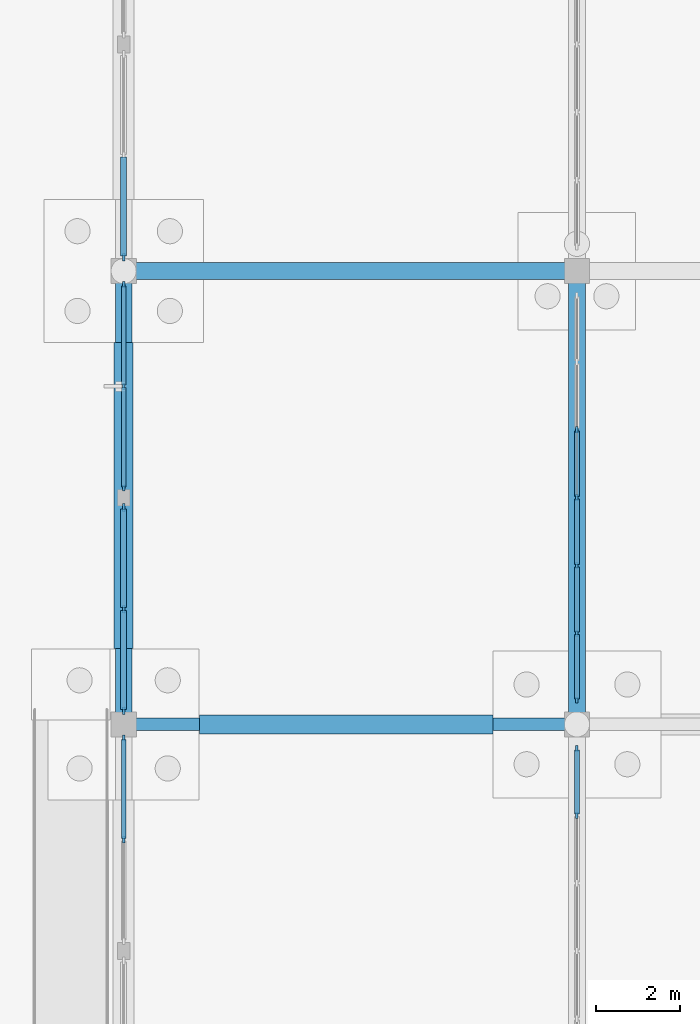
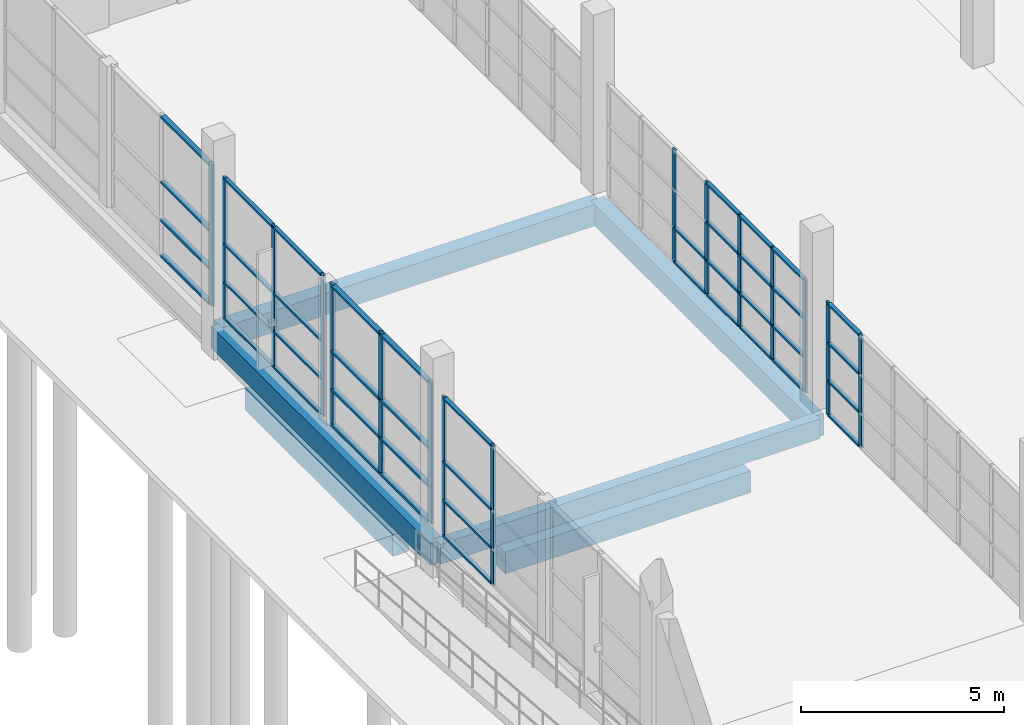
# One storey, part 39 of 138: 58 members, 6 beams, 6 elements without a shape of their own.
"""IFC4 building model written with IfcOpenShell, lengths in metres."""

from ifc_helpers import new_model, si_unit, direction, frame, origin, origin_2d, place, context, subcontext, project, spatial, rectangle, extrude, material, material_profile, profile_set, type_object, element, aggregate, save


model = new_model("IFC4")

# Units and contexts
model_context = context("Model", 3, precision=1e-05, world=origin(), true_north=direction((0.0, 1.0)))
body_context = subcontext(model_context, "Body", "Model", "MODEL_VIEW")
ifc_project = project(units=[si_unit("LENGTHUNIT", "METRE"), si_unit("AREAUNIT", "SQUARE_METRE"), si_unit("VOLUMEUNIT", "CUBIC_METRE"), si_unit("PLANEANGLEUNIT", "RADIAN"), si_unit("MASSUNIT", "GRAM", prefix="KILO")], contexts=[model_context])

# Site, building, storey
site_placement = place(None, origin())
site = spatial("IfcSite", under=ifc_project, at=site_placement, CompositionType="ELEMENT")
building_placement = place(site_placement, origin())
building = spatial("IfcBuilding", under=site, at=building_placement, Name="Zwinboog Wholesale Market", CompositionType="ELEMENT")
storey_placement = place(building_placement, origin())
storey = spatial("IfcBuildingStorey", under=building, at=storey_placement, Name="L00", CompositionType="ELEMENT", Elevation=0.0)

# Beams
ifc_material_1 = material(Name="Precast concrete C45/55", Category="concrete")
ifc_material_profile_1 = material_profile(ifc_material_1, rectangle(XDim=0.39990234375, YDim=0.64990234375, at=origin_2d()), Name="PC 400x650")
ifc_profile_set_1 = profile_set([ifc_material_profile_1], Name="Precast concrete C45/55")
beam_type_1 = type_object("IfcBeamType", Name="BT-05", PredefinedType="BEAM", material=ifc_profile_set_1)
for number, where, z_axis, x_axis, name in (
    (1, (0.0, 75.60009765625, -0.705078125), (1.0, 0.0, 0.0), (0.0, 1.0, 0.0), "BG-05 (BMG-L00-0000-0756-0099)"),
    (2, (0.0, 64.800048828125, -0.705078125), (0.0, 1.0, 0.0), (-1.0, 0.0, 0.0), "BG-05 (BMG-L00-0000-0648-0217)"),
    (3, (10.800048828125, 64.800048828125, -0.705078125), (0.0, 1.0, 0.0), (-1.0, 0.0, 0.0), "BG-05 (BMG-L00-0108-0648-0229)"),
):
    element("IfcBeam", number, at=place(storey_placement, frame(where, z_axis=z_axis, x_axis=x_axis)), inside=storey, type_object=beam_type_1, Name=name, PredefinedType="BEAM", context=body_context, shape_type="SweptSolid", body=[
        extrude(rectangle(XDim=0.39990234375, YDim=0.64990234375, at=origin_2d()), origin(), (0.0, 0.0, 1.0), 10.800048828125),
    ])
ifc_material_profile_2 = material_profile(ifc_material_1, rectangle(XDim=0.300048828125, YDim=0.60009765625, at=origin_2d()), Name="PC 300x600")
ifc_profile_set_2 = profile_set([ifc_material_profile_2], Name="Precast concrete C45/55")
beam_type_2 = type_object("IfcBeamType", Name="BT-09", PredefinedType="SPANDREL", material=ifc_profile_set_2)
beam_1_placement = place(storey_placement, frame((0.0, 64.800048828125, -0.679931640625), z_axis=(1.0, 0.0, 0.0), x_axis=(0.0, 1.0, 0.0)))
element("IfcBeam", 4, at=beam_1_placement, inside=storey, type_object=beam_type_2, Name="SP-02 (BMG-L00-0000-0648-0083)", PredefinedType="SPANDREL", context=body_context, shape_type="SweptSolid", body=[
    extrude(rectangle(XDim=0.300048828125, YDim=0.60009765625, at=origin_2d()), origin(), (0.0, 0.0, 1.0), 10.800048828125),
])
ifc_material_2 = material(Name="Concrete C35/45", Category="concrete")
ifc_material_profile_3 = material_profile(ifc_material_2, rectangle(XDim=0.449951171875, YDim=0.64990234375, at=origin_2d()), Name="RC 450x650")
ifc_profile_set_3 = profile_set([ifc_material_profile_3], Name="Concrete C35/45")
beam_type_3 = type_object("IfcBeamType", Name="BT-13", PredefinedType="USERDEFINED", material=ifc_profile_set_3)
beam_2_placement = place(storey_placement, frame((1.804931640625, 64.800048828125, -1.52490234375), z_axis=(1.0, 0.0, 0.0), x_axis=(0.0, 1.0, 0.0)))
element("IfcBeam", 5, at=beam_2_placement, inside=storey, type_object=beam_type_3, Name="GB-02 (BM-GB-0050)", ObjectType="GROUND_BEAM", PredefinedType="USERDEFINED", context=body_context, shape_type="SweptSolid", body=[
    extrude(rectangle(XDim=0.449951171875, YDim=0.64990234375, at=origin_2d()), origin(), (0.0, 0.0, 1.0), 6.989990234375),
])
beam_3_placement = place(storey_placement, frame((0.0, 66.60498046875, -1.52490234375), z_axis=(0.0, 1.0, 0.0), x_axis=(-1.0, 0.0, 0.0)))
element("IfcBeam", 6, at=beam_3_placement, inside=storey, type_object=beam_type_3, Name="GB-02 (BM-GB-0133)", ObjectType="GROUND_BEAM", PredefinedType="USERDEFINED", context=body_context, shape_type="SweptSolid", body=[
    extrude(rectangle(XDim=0.449951171875, YDim=0.64990234375, at=origin_2d()), origin(), (0.0, 0.0, 1.0), 7.2900390625),
])

# Curtain wall, members
ifc_material_3 = material(Name="Aluminium thermally broken curtain wall", Category="aluminium")
curtain_wall_type_1 = type_object("IfcCurtainWallType", Name="CWT-CAFE-22", PredefinedType="USERDEFINED", material=ifc_material_3)
curtain_wall_1_placement = place(storey_placement, origin())
curtain_wall_1 = element("IfcCurtainWall", 7, at=curtain_wall_1_placement, inside=storey, type_object=curtain_wall_type_1, Name="CW-05 (CW-L00-011)", ObjectType="STOREFRONT_GLAZING", PredefinedType="USERDEFINED")
ifc_material_4 = material(Name="Aluminium EN AW-6060", Category="aluminium")
ifc_material_profile_4 = material_profile(ifc_material_4, rectangle(XDim=0.06494140625, YDim=0.179931640625, at=origin_2d()), Name="AL 65x180")
ifc_profile_set_4 = profile_set([ifc_material_profile_4], Name="Aluminium EN AW-6060")
member_type_1 = type_object("IfcMemberType", Name="CWM-65x180", PredefinedType="MULLION", material=ifc_profile_set_4)
member_1_placement = place(storey_placement, frame((0.0, 65.12744140625, 0.0), z_axis=(0.0, 0.0, 1.0), x_axis=(-1.0, 0.0, 0.0)))
member_1 = element("IfcMember", 8, at=member_1_placement, type_object=member_type_1, Name="CW-05 mullion 1", PredefinedType="MULLION", context=body_context, shape_type="SweptSolid", body=[
    extrude(rectangle(XDim=0.06494140625, YDim=0.179931640625, at=origin_2d()), origin(), (0.0, 0.0, 1.0), 4.25),
])
member_2_placement = place(storey_placement, frame((0.0, 67.547607421875, 0.0), z_axis=(0.0, 0.0, 1.0), x_axis=(-1.0, 0.0, 0.0)))
member_2 = element("IfcMember", 9, at=member_2_placement, type_object=member_type_1, Name="CW-05 mullion 2", PredefinedType="MULLION", context=body_context, shape_type="SweptSolid", body=[
    extrude(rectangle(XDim=0.06494140625, YDim=0.179931640625, at=origin_2d()), origin(), (0.0, 0.0, 1.0), 4.25),
])
member_3_placement = place(storey_placement, frame((0.0, 69.967529296875, 0.0), z_axis=(0.0, 0.0, 1.0), x_axis=(-1.0, 0.0, 0.0)))
member_3 = element("IfcMember", 10, at=member_3_placement, type_object=member_type_1, Name="CW-05 mullion 3", PredefinedType="MULLION", context=body_context, shape_type="SweptSolid", body=[
    extrude(rectangle(XDim=0.06494140625, YDim=0.179931640625, at=origin_2d()), origin(), (0.0, 0.0, 1.0), 4.25),
])

# Curtain wall, member
curtain_wall_type_2 = type_object("IfcCurtainWallType", Name="CWT-STALL-18", PredefinedType="USERDEFINED", material=ifc_material_3)
curtain_wall_2_placement = place(storey_placement, origin())
curtain_wall_2 = element("IfcCurtainWall", 11, at=curtain_wall_2_placement, inside=storey, type_object=curtain_wall_type_2, Name="CW-01 (CW-L00-013)", ObjectType="STOREFRONT_GLAZING", PredefinedType="USERDEFINED")
member_4_placement = place(storey_placement, frame((0.0, 75.927490234375, 0.0), z_axis=(0.0, 0.0, 1.0), x_axis=(-1.0, 0.0, 0.0)))
member_4 = element("IfcMember", 12, at=member_4_placement, type_object=member_type_1, Name="CW-01 mullion 1", PredefinedType="MULLION", context=body_context, shape_type="SweptSolid", body=[
    extrude(rectangle(XDim=0.06494140625, YDim=0.179931640625, at=origin_2d()), origin(), (0.0, 0.0, 1.0), 4.25),
])

# Curtain wall, members
curtain_wall_type_3 = type_object("IfcCurtainWallType", Name="CWT-GAL-16", PredefinedType="USERDEFINED", material=ifc_material_3)
curtain_wall_3_placement = place(storey_placement, origin())
curtain_wall_3 = element("IfcCurtainWall", 13, at=curtain_wall_3_placement, inside=storey, type_object=curtain_wall_type_3, Name="CW-04 (CW-L00-010)", ObjectType="UNITIZED_CURTAIN_WALL", PredefinedType="USERDEFINED")
ifc_material_profile_5 = material_profile(ifc_material_4, rectangle(XDim=0.06005859375, YDim=0.14990234375, at=origin_2d()), Name="AL 60x150")
ifc_profile_set_5 = profile_set([ifc_material_profile_5], Name="Aluminium EN AW-6060")
member_type_2 = type_object("IfcMemberType", Name="CWM-60x150", PredefinedType="MULLION", material=ifc_profile_set_5)
member_5_placement = place(storey_placement, frame((0.0, 62.052490234375, 0.0), z_axis=(0.0, 0.0, 1.0), x_axis=(-1.0, 0.0, 0.0)))
member_5 = element("IfcMember", 14, at=member_5_placement, type_object=member_type_2, Name="CW-04 mullion 2", PredefinedType="MULLION", context=body_context, shape_type="SweptSolid", body=[
    extrude(rectangle(XDim=0.06005859375, YDim=0.14990234375, at=origin_2d()), origin(), (0.0, 0.0, 1.0), 4.197998046875),
])
member_6_placement = place(storey_placement, frame((0.0, 64.47509765625, 0.0), z_axis=(0.0, 0.0, 1.0), x_axis=(-1.0, 0.0, 0.0)))
member_6 = element("IfcMember", 15, at=member_6_placement, type_object=member_type_2, Name="CW-04 mullion 3", PredefinedType="MULLION", context=body_context, shape_type="SweptSolid", body=[
    extrude(rectangle(XDim=0.06005859375, YDim=0.14990234375, at=origin_2d()), origin(), (0.0, 0.0, 1.0), 4.197998046875),
])

curtain_wall_type_4 = type_object("IfcCurtainWallType", Name="CWT-OFF-15", PredefinedType="USERDEFINED", material=ifc_material_3)
curtain_wall_4_placement = place(storey_placement, origin())
curtain_wall_4 = element("IfcCurtainWall", 16, at=curtain_wall_4_placement, inside=storey, type_object=curtain_wall_type_4, Name="CW-06 (CW-L00-012)", ObjectType="UNITIZED_CURTAIN_WALL", PredefinedType="USERDEFINED")
member_7_placement = place(storey_placement, frame((0.0, 70.429931640625, 0.0), z_axis=(0.0, 0.0, 1.0), x_axis=(-1.0, 0.0, 0.0)))
member_7 = element("IfcMember", 17, at=member_7_placement, type_object=member_type_2, Name="CW-06 mullion 1", PredefinedType="MULLION", context=body_context, shape_type="SweptSolid", body=[
    extrude(rectangle(XDim=0.06005859375, YDim=0.14990234375, at=origin_2d()), origin(), (0.0, 0.0, 1.0), 4.25),
])
member_8_placement = place(storey_placement, frame((0.0, 72.8525390625, 0.0), z_axis=(0.0, 0.0, 1.0), x_axis=(-1.0, 0.0, 0.0)))
member_8 = element("IfcMember", 18, at=member_8_placement, type_object=member_type_2, Name="CW-06 mullion 2", PredefinedType="MULLION", context=body_context, shape_type="SweptSolid", body=[
    extrude(rectangle(XDim=0.06005859375, YDim=0.14990234375, at=origin_2d()), origin(), (0.0, 0.0, 1.0), 4.25),
])
member_9_placement = place(storey_placement, frame((0.0, 75.27490234375, 0.0), z_axis=(0.0, 0.0, 1.0), x_axis=(-1.0, 0.0, 0.0)))
member_9 = element("IfcMember", 19, at=member_9_placement, type_object=member_type_2, Name="CW-06 mullion 3", PredefinedType="MULLION", context=body_context, shape_type="SweptSolid", body=[
    extrude(rectangle(XDim=0.06005859375, YDim=0.14990234375, at=origin_2d()), origin(), (0.0, 0.0, 1.0), 4.25),
])

# Member
ifc_material_profile_6 = material_profile(ifc_material_4, rectangle(XDim=0.139892578125, YDim=0.06494140625, at=origin_2d()), Name="AL 65x140")
ifc_profile_set_6 = profile_set([ifc_material_profile_6], Name="Aluminium EN AW-6060")
member_type_3 = type_object("IfcMemberType", Name="CWT-65x140", PredefinedType="USERDEFINED", material=ifc_profile_set_6)
member_10_placement = place(storey_placement, frame((0.0, 65.159912109375, 0.032470703125), z_axis=(0.0, 1.0, 0.0), x_axis=(-1.0, 0.0, 0.0)))
member_10 = element("IfcMember", 20, at=member_10_placement, type_object=member_type_3, Name="CW-05 transom 1.1", ObjectType="TRANSOM", PredefinedType="USERDEFINED", context=body_context, shape_type="SweptSolid", body=[
    extrude(rectangle(XDim=0.139892578125, YDim=0.06494140625, at=origin_2d()), origin(), (0.0, 0.0, 1.0), 2.35498046875),
])

member_11_placement = place(storey_placement, frame((0.0, 65.159912109375, 1.10009765625), z_axis=(0.0, 1.0, 0.0), x_axis=(-1.0, 0.0, 0.0)))
member_11 = element("IfcMember", 21, at=member_11_placement, type_object=member_type_3, Name="CW-05 transom 1.2", ObjectType="TRANSOM", PredefinedType="USERDEFINED", context=body_context, shape_type="SweptSolid", body=[
    extrude(rectangle(XDim=0.139892578125, YDim=0.06494140625, at=origin_2d()), origin(), (0.0, 0.0, 1.0), 2.35498046875),
])

member_12_placement = place(storey_placement, frame((0.0, 65.159912109375, 2.25), z_axis=(0.0, 1.0, 0.0), x_axis=(-1.0, 0.0, 0.0)))
member_12 = element("IfcMember", 22, at=member_12_placement, type_object=member_type_3, Name="CW-05 transom 1.3", ObjectType="TRANSOM", PredefinedType="USERDEFINED", context=body_context, shape_type="SweptSolid", body=[
    extrude(rectangle(XDim=0.139892578125, YDim=0.06494140625, at=origin_2d()), origin(), (0.0, 0.0, 1.0), 2.35498046875),
])

member_13_placement = place(storey_placement, frame((0.0, 65.159912109375, 4.217529296875), z_axis=(0.0, 1.0, 0.0), x_axis=(-1.0, 0.0, 0.0)))
member_13 = element("IfcMember", 23, at=member_13_placement, type_object=member_type_3, Name="CW-05 transom 1.4", ObjectType="TRANSOM", PredefinedType="USERDEFINED", context=body_context, shape_type="SweptSolid", body=[
    extrude(rectangle(XDim=0.139892578125, YDim=0.06494140625, at=origin_2d()), origin(), (0.0, 0.0, 1.0), 2.35498046875),
])

member_14_placement = place(storey_placement, frame((0.0, 67.580078125, 0.032470703125), z_axis=(0.0, 1.0, 0.0), x_axis=(-1.0, 0.0, 0.0)))
member_14 = element("IfcMember", 24, at=member_14_placement, type_object=member_type_3, Name="CW-05 transom 2.1", ObjectType="TRANSOM", PredefinedType="USERDEFINED", context=body_context, shape_type="SweptSolid", body=[
    extrude(rectangle(XDim=0.139892578125, YDim=0.06494140625, at=origin_2d()), origin(), (0.0, 0.0, 1.0), 2.35498046875),
])

member_15_placement = place(storey_placement, frame((0.0, 67.580078125, 1.10009765625), z_axis=(0.0, 1.0, 0.0), x_axis=(-1.0, 0.0, 0.0)))
member_15 = element("IfcMember", 25, at=member_15_placement, type_object=member_type_3, Name="CW-05 transom 2.2", ObjectType="TRANSOM", PredefinedType="USERDEFINED", context=body_context, shape_type="SweptSolid", body=[
    extrude(rectangle(XDim=0.139892578125, YDim=0.06494140625, at=origin_2d()), origin(), (0.0, 0.0, 1.0), 2.35498046875),
])

member_16_placement = place(storey_placement, frame((0.0, 67.580078125, 2.25), z_axis=(0.0, 1.0, 0.0), x_axis=(-1.0, 0.0, 0.0)))
member_16 = element("IfcMember", 26, at=member_16_placement, type_object=member_type_3, Name="CW-05 transom 2.3", ObjectType="TRANSOM", PredefinedType="USERDEFINED", context=body_context, shape_type="SweptSolid", body=[
    extrude(rectangle(XDim=0.139892578125, YDim=0.06494140625, at=origin_2d()), origin(), (0.0, 0.0, 1.0), 2.35498046875),
])

member_17_placement = place(storey_placement, frame((0.0, 67.580078125, 4.217529296875), z_axis=(0.0, 1.0, 0.0), x_axis=(-1.0, 0.0, 0.0)))
member_17 = element("IfcMember", 27, at=member_17_placement, type_object=member_type_3, Name="CW-05 transom 2.4", ObjectType="TRANSOM", PredefinedType="USERDEFINED", context=body_context, shape_type="SweptSolid", body=[
    extrude(rectangle(XDim=0.139892578125, YDim=0.06494140625, at=origin_2d()), origin(), (0.0, 0.0, 1.0), 2.35498046875),
])

aggregate(curtain_wall_1, [member_1, member_2, member_3, member_10, member_11, member_12, member_13, member_14, member_15, member_16, member_17])

member_18_placement = place(storey_placement, frame((0.0, 75.9599609375, 0.032470703125), z_axis=(0.0, 1.0, 0.0), x_axis=(-1.0, 0.0, 0.0)))
member_18 = element("IfcMember", 28, at=member_18_placement, type_object=member_type_3, Name="CW-01 transom 1.1", ObjectType="TRANSOM", PredefinedType="USERDEFINED", context=body_context, shape_type="SweptSolid", body=[
    extrude(rectangle(XDim=0.139892578125, YDim=0.06494140625, at=origin_2d()), origin(), (0.0, 0.0, 1.0), 2.35498046875),
])

member_19_placement = place(storey_placement, frame((0.0, 75.9599609375, 1.10009765625), z_axis=(0.0, 1.0, 0.0), x_axis=(-1.0, 0.0, 0.0)))
member_19 = element("IfcMember", 29, at=member_19_placement, type_object=member_type_3, Name="CW-01 transom 1.2", ObjectType="TRANSOM", PredefinedType="USERDEFINED", context=body_context, shape_type="SweptSolid", body=[
    extrude(rectangle(XDim=0.139892578125, YDim=0.06494140625, at=origin_2d()), origin(), (0.0, 0.0, 1.0), 2.35498046875),
])

member_20_placement = place(storey_placement, frame((0.0, 75.9599609375, 2.25), z_axis=(0.0, 1.0, 0.0), x_axis=(-1.0, 0.0, 0.0)))
member_20 = element("IfcMember", 30, at=member_20_placement, type_object=member_type_3, Name="CW-01 transom 1.3", ObjectType="TRANSOM", PredefinedType="USERDEFINED", context=body_context, shape_type="SweptSolid", body=[
    extrude(rectangle(XDim=0.139892578125, YDim=0.06494140625, at=origin_2d()), origin(), (0.0, 0.0, 1.0), 2.35498046875),
])

member_21_placement = place(storey_placement, frame((0.0, 75.9599609375, 4.217529296875), z_axis=(0.0, 1.0, 0.0), x_axis=(-1.0, 0.0, 0.0)))
member_21 = element("IfcMember", 31, at=member_21_placement, type_object=member_type_3, Name="CW-01 transom 1.4", ObjectType="TRANSOM", PredefinedType="USERDEFINED", context=body_context, shape_type="SweptSolid", body=[
    extrude(rectangle(XDim=0.139892578125, YDim=0.06494140625, at=origin_2d()), origin(), (0.0, 0.0, 1.0), 2.35498046875),
])

aggregate(curtain_wall_2, [member_4, member_18, member_19, member_20, member_21])

ifc_material_profile_7 = material_profile(ifc_material_4, rectangle(XDim=0.110107421875, YDim=0.06005859375, at=origin_2d()), Name="AL 60x110")
ifc_profile_set_7 = profile_set([ifc_material_profile_7], Name="Aluminium EN AW-6060")
member_type_4 = type_object("IfcMemberType", Name="CWT-60x110", PredefinedType="USERDEFINED", material=ifc_profile_set_7)
member_22_placement = place(storey_placement, frame((0.0, 62.08251953125, 0.030029296875), z_axis=(0.0, 1.0, 0.0), x_axis=(-1.0, 0.0, 0.0)))
member_22 = element("IfcMember", 32, at=member_22_placement, type_object=member_type_4, Name="CW-04 transom 2.1", ObjectType="TRANSOM", PredefinedType="USERDEFINED", context=body_context, shape_type="SweptSolid", body=[
    extrude(rectangle(XDim=0.110107421875, YDim=0.06005859375, at=origin_2d()), origin(), (0.0, 0.0, 1.0), 2.362548828125),
])

member_23_placement = place(storey_placement, frame((0.0, 62.08251953125, 1.10009765625), z_axis=(0.0, 1.0, 0.0), x_axis=(-1.0, 0.0, 0.0)))
member_23 = element("IfcMember", 33, at=member_23_placement, type_object=member_type_4, Name="CW-04 transom 2.2", ObjectType="TRANSOM", PredefinedType="USERDEFINED", context=body_context, shape_type="SweptSolid", body=[
    extrude(rectangle(XDim=0.110107421875, YDim=0.06005859375, at=origin_2d()), origin(), (0.0, 0.0, 1.0), 2.362548828125),
])

member_24_placement = place(storey_placement, frame((0.0, 62.08251953125, 2.25), z_axis=(0.0, 1.0, 0.0), x_axis=(-1.0, 0.0, 0.0)))
member_24 = element("IfcMember", 34, at=member_24_placement, type_object=member_type_4, Name="CW-04 transom 2.3", ObjectType="TRANSOM", PredefinedType="USERDEFINED", context=body_context, shape_type="SweptSolid", body=[
    extrude(rectangle(XDim=0.110107421875, YDim=0.06005859375, at=origin_2d()), origin(), (0.0, 0.0, 1.0), 2.362548828125),
])

member_25_placement = place(storey_placement, frame((0.0, 62.08251953125, 4.16796875), z_axis=(0.0, 1.0, 0.0), x_axis=(-1.0, 0.0, 0.0)))
member_25 = element("IfcMember", 35, at=member_25_placement, type_object=member_type_4, Name="CW-04 transom 2.4", ObjectType="TRANSOM", PredefinedType="USERDEFINED", context=body_context, shape_type="SweptSolid", body=[
    extrude(rectangle(XDim=0.110107421875, YDim=0.06005859375, at=origin_2d()), origin(), (0.0, 0.0, 1.0), 2.362548828125),
])

aggregate(curtain_wall_3, [member_5, member_6, member_22, member_23, member_24, member_25])

member_26_placement = place(storey_placement, frame((0.0, 70.4599609375, 0.030029296875), z_axis=(0.0, 1.0, 0.0), x_axis=(-1.0, 0.0, 0.0)))
member_26 = element("IfcMember", 36, at=member_26_placement, type_object=member_type_4, Name="CW-06 transom 1.1", ObjectType="TRANSOM", PredefinedType="USERDEFINED", context=body_context, shape_type="SweptSolid", body=[
    extrude(rectangle(XDim=0.110107421875, YDim=0.06005859375, at=origin_2d()), origin(), (0.0, 0.0, 1.0), 2.362548828125),
])

member_27_placement = place(storey_placement, frame((0.0, 70.4599609375, 1.10009765625), z_axis=(0.0, 1.0, 0.0), x_axis=(-1.0, 0.0, 0.0)))
member_27 = element("IfcMember", 37, at=member_27_placement, type_object=member_type_4, Name="CW-06 transom 1.2", ObjectType="TRANSOM", PredefinedType="USERDEFINED", context=body_context, shape_type="SweptSolid", body=[
    extrude(rectangle(XDim=0.110107421875, YDim=0.06005859375, at=origin_2d()), origin(), (0.0, 0.0, 1.0), 2.362548828125),
])

member_28_placement = place(storey_placement, frame((0.0, 70.4599609375, 2.25), z_axis=(0.0, 1.0, 0.0), x_axis=(-1.0, 0.0, 0.0)))
member_28 = element("IfcMember", 38, at=member_28_placement, type_object=member_type_4, Name="CW-06 transom 1.3", ObjectType="TRANSOM", PredefinedType="USERDEFINED", context=body_context, shape_type="SweptSolid", body=[
    extrude(rectangle(XDim=0.110107421875, YDim=0.06005859375, at=origin_2d()), origin(), (0.0, 0.0, 1.0), 2.362548828125),
])

member_29_placement = place(storey_placement, frame((0.0, 70.4599609375, 4.219970703125), z_axis=(0.0, 1.0, 0.0), x_axis=(-1.0, 0.0, 0.0)))
member_29 = element("IfcMember", 39, at=member_29_placement, type_object=member_type_4, Name="CW-06 transom 1.4", ObjectType="TRANSOM", PredefinedType="USERDEFINED", context=body_context, shape_type="SweptSolid", body=[
    extrude(rectangle(XDim=0.110107421875, YDim=0.06005859375, at=origin_2d()), origin(), (0.0, 0.0, 1.0), 2.362548828125),
])

member_30_placement = place(storey_placement, frame((0.0, 72.882568359375, 0.030029296875), z_axis=(0.0, 1.0, 0.0), x_axis=(-1.0, 0.0, 0.0)))
member_30 = element("IfcMember", 40, at=member_30_placement, type_object=member_type_4, Name="CW-06 transom 2.1", ObjectType="TRANSOM", PredefinedType="USERDEFINED", context=body_context, shape_type="SweptSolid", body=[
    extrude(rectangle(XDim=0.110107421875, YDim=0.06005859375, at=origin_2d()), origin(), (0.0, 0.0, 1.0), 2.362548828125),
])

member_31_placement = place(storey_placement, frame((0.0, 72.882568359375, 1.10009765625), z_axis=(0.0, 1.0, 0.0), x_axis=(-1.0, 0.0, 0.0)))
member_31 = element("IfcMember", 41, at=member_31_placement, type_object=member_type_4, Name="CW-06 transom 2.2", ObjectType="TRANSOM", PredefinedType="USERDEFINED", context=body_context, shape_type="SweptSolid", body=[
    extrude(rectangle(XDim=0.110107421875, YDim=0.06005859375, at=origin_2d()), origin(), (0.0, 0.0, 1.0), 2.362548828125),
])

member_32_placement = place(storey_placement, frame((0.0, 72.882568359375, 2.25), z_axis=(0.0, 1.0, 0.0), x_axis=(-1.0, 0.0, 0.0)))
member_32 = element("IfcMember", 42, at=member_32_placement, type_object=member_type_4, Name="CW-06 transom 2.3", ObjectType="TRANSOM", PredefinedType="USERDEFINED", context=body_context, shape_type="SweptSolid", body=[
    extrude(rectangle(XDim=0.110107421875, YDim=0.06005859375, at=origin_2d()), origin(), (0.0, 0.0, 1.0), 2.362548828125),
])

member_33_placement = place(storey_placement, frame((0.0, 72.882568359375, 4.219970703125), z_axis=(0.0, 1.0, 0.0), x_axis=(-1.0, 0.0, 0.0)))
member_33 = element("IfcMember", 43, at=member_33_placement, type_object=member_type_4, Name="CW-06 transom 2.4", ObjectType="TRANSOM", PredefinedType="USERDEFINED", context=body_context, shape_type="SweptSolid", body=[
    extrude(rectangle(XDim=0.110107421875, YDim=0.06005859375, at=origin_2d()), origin(), (0.0, 0.0, 1.0), 2.362548828125),
])

aggregate(curtain_wall_4, [member_7, member_8, member_9, member_26, member_27, member_28, member_29, member_30, member_31, member_32, member_33])

# Curtain wall, members
curtain_wall_type_5 = type_object("IfcCurtainWallType", Name="CWT-INT-STALL", PredefinedType="USERDEFINED", material=ifc_material_3)
curtain_wall_5_placement = place(storey_placement, origin())
curtain_wall_5 = element("IfcCurtainWall", 44, at=curtain_wall_5_placement, inside=storey, type_object=curtain_wall_type_5, Name="CW-07 (CW-STL-214)", ObjectType="STOREFRONT_GLAZING", PredefinedType="USERDEFINED")
ifc_material_profile_8 = material_profile(ifc_material_4, rectangle(XDim=0.06005859375, YDim=0.14990234375, at=origin_2d()), Name="AL 60x150")
ifc_profile_set_8 = profile_set([ifc_material_profile_8], Name="Aluminium EN AW-6060")
member_type_5 = type_object("IfcMemberType", Name="CWM-INT-60x120", PredefinedType="MULLION", material=ifc_profile_set_8)
member_34_placement = place(storey_placement, frame((10.800048828125, 62.63330078125, 0.0), z_axis=(0.0, 0.0, 1.0), x_axis=(-1.0, 0.0, 0.0)))
member_34 = element("IfcMember", 45, at=member_34_placement, type_object=member_type_5, Name="CW-07 mullion 6", PredefinedType="MULLION", context=body_context, shape_type="SweptSolid", body=[
    extrude(rectangle(XDim=0.06005859375, YDim=0.14990234375, at=origin_2d()), origin(), (0.0, 0.0, 1.0), 3.39990234375),
])
member_35_placement = place(storey_placement, frame((10.800048828125, 64.219970703125, 0.0), z_axis=(0.0, 0.0, 1.0), x_axis=(-1.0, 0.0, 0.0)))
member_35 = element("IfcMember", 46, at=member_35_placement, type_object=member_type_5, Name="CW-07 mullion 7", PredefinedType="MULLION", context=body_context, shape_type="SweptSolid", body=[
    extrude(rectangle(XDim=0.06005859375, YDim=0.14990234375, at=origin_2d()), origin(), (0.0, 0.0, 1.0), 3.39990234375),
])

curtain_wall_6_placement = place(storey_placement, origin())
curtain_wall_6 = element("IfcCurtainWall", 47, at=curtain_wall_6_placement, inside=storey, type_object=curtain_wall_type_5, Name="CW-07 (CW-STL-215)", ObjectType="STOREFRONT_GLAZING", PredefinedType="USERDEFINED")
member_36_placement = place(storey_placement, frame((10.800048828125, 65.3798828125, 0.0), z_axis=(0.0, 0.0, 1.0), x_axis=(-1.0, 0.0, 0.0)))
member_36 = element("IfcMember", 48, at=member_36_placement, type_object=member_type_5, Name="CW-07 mullion 1", PredefinedType="MULLION", context=body_context, shape_type="SweptSolid", body=[
    extrude(rectangle(XDim=0.06005859375, YDim=0.14990234375, at=origin_2d()), origin(), (0.0, 0.0, 1.0), 3.39990234375),
])
member_37_placement = place(storey_placement, frame((10.800048828125, 66.966552734375, 0.0), z_axis=(0.0, 0.0, 1.0), x_axis=(-1.0, 0.0, 0.0)))
member_37 = element("IfcMember", 49, at=member_37_placement, type_object=member_type_5, Name="CW-07 mullion 2", PredefinedType="MULLION", context=body_context, shape_type="SweptSolid", body=[
    extrude(rectangle(XDim=0.06005859375, YDim=0.14990234375, at=origin_2d()), origin(), (0.0, 0.0, 1.0), 3.39990234375),
])
member_38_placement = place(storey_placement, frame((10.800048828125, 68.583251953125, 0.0), z_axis=(0.0, 0.0, 1.0), x_axis=(-1.0, 0.0, 0.0)))
member_38 = element("IfcMember", 50, at=member_38_placement, type_object=member_type_5, Name="CW-07 mullion 3", PredefinedType="MULLION", context=body_context, shape_type="SweptSolid", body=[
    extrude(rectangle(XDim=0.06005859375, YDim=0.14990234375, at=origin_2d()), origin(), (0.0, 0.0, 1.0), 3.39990234375),
])
member_39_placement = place(storey_placement, frame((10.800048828125, 70.199951171875, 0.0), z_axis=(0.0, 0.0, 1.0), x_axis=(-1.0, 0.0, 0.0)))
member_39 = element("IfcMember", 51, at=member_39_placement, type_object=member_type_5, Name="CW-07 mullion 4", PredefinedType="MULLION", context=body_context, shape_type="SweptSolid", body=[
    extrude(rectangle(XDim=0.06005859375, YDim=0.14990234375, at=origin_2d()), origin(), (0.0, 0.0, 1.0), 3.39990234375),
])
member_40_placement = place(storey_placement, frame((10.800048828125, 71.816650390625, 0.0), z_axis=(0.0, 0.0, 1.0), x_axis=(-1.0, 0.0, 0.0)))
member_40 = element("IfcMember", 52, at=member_40_placement, type_object=member_type_5, Name="CW-07 mullion 5", PredefinedType="MULLION", context=body_context, shape_type="SweptSolid", body=[
    extrude(rectangle(XDim=0.06005859375, YDim=0.14990234375, at=origin_2d()), origin(), (0.0, 0.0, 1.0), 3.39990234375),
])

# Member
ifc_material_profile_9 = material_profile(ifc_material_4, rectangle(XDim=0.110107421875, YDim=0.06005859375, at=origin_2d()), Name="AL 60x110")
ifc_profile_set_9 = profile_set([ifc_material_profile_9], Name="Aluminium EN AW-6060")
member_type_6 = type_object("IfcMemberType", Name="CWT-INT-60x100", PredefinedType="USERDEFINED", material=ifc_profile_set_9)
member_41_placement = place(storey_placement, frame((10.800048828125, 62.663330078125, 0.030029296875), z_axis=(0.0, 1.0, 0.0), x_axis=(-1.0, 0.0, 0.0)))
member_41 = element("IfcMember", 53, at=member_41_placement, type_object=member_type_6, Name="CW-07 transom 6.1", ObjectType="TRANSOM", PredefinedType="USERDEFINED", context=body_context, shape_type="SweptSolid", body=[
    extrude(rectangle(XDim=0.110107421875, YDim=0.06005859375, at=origin_2d()), origin(), (0.0, 0.0, 1.0), 1.526611328125),
])

member_42_placement = place(storey_placement, frame((10.800048828125, 62.663330078125, 1.050048828125), z_axis=(0.0, 1.0, 0.0), x_axis=(-1.0, 0.0, 0.0)))
member_42 = element("IfcMember", 54, at=member_42_placement, type_object=member_type_6, Name="CW-07 transom 6.2", ObjectType="TRANSOM", PredefinedType="USERDEFINED", context=body_context, shape_type="SweptSolid", body=[
    extrude(rectangle(XDim=0.110107421875, YDim=0.06005859375, at=origin_2d()), origin(), (0.0, 0.0, 1.0), 1.526611328125),
])

member_43_placement = place(storey_placement, frame((10.800048828125, 62.663330078125, 2.199951171875), z_axis=(0.0, 1.0, 0.0), x_axis=(-1.0, 0.0, 0.0)))
member_43 = element("IfcMember", 55, at=member_43_placement, type_object=member_type_6, Name="CW-07 transom 6.3", ObjectType="TRANSOM", PredefinedType="USERDEFINED", context=body_context, shape_type="SweptSolid", body=[
    extrude(rectangle(XDim=0.110107421875, YDim=0.06005859375, at=origin_2d()), origin(), (0.0, 0.0, 1.0), 1.526611328125),
])

member_44_placement = place(storey_placement, frame((10.800048828125, 62.663330078125, 3.3701171875), z_axis=(0.0, 1.0, 0.0), x_axis=(-1.0, 0.0, 0.0)))
member_44 = element("IfcMember", 56, at=member_44_placement, type_object=member_type_6, Name="CW-07 transom 6.4", ObjectType="TRANSOM", PredefinedType="USERDEFINED", context=body_context, shape_type="SweptSolid", body=[
    extrude(rectangle(XDim=0.110107421875, YDim=0.06005859375, at=origin_2d()), origin(), (0.0, 0.0, 1.0), 1.526611328125),
])

aggregate(curtain_wall_5, [member_34, member_35, member_41, member_42, member_43, member_44])

member_45_placement = place(storey_placement, frame((10.800048828125, 65.409912109375, 0.030029296875), z_axis=(0.0, 1.0, 0.0), x_axis=(-1.0, 0.0, 0.0)))
member_45 = element("IfcMember", 57, at=member_45_placement, type_object=member_type_6, Name="CW-07 transom 1.1", ObjectType="TRANSOM", PredefinedType="USERDEFINED", context=body_context, shape_type="SweptSolid", body=[
    extrude(rectangle(XDim=0.110107421875, YDim=0.06005859375, at=origin_2d()), origin(), (0.0, 0.0, 1.0), 1.52685546875),
])

member_46_placement = place(storey_placement, frame((10.800048828125, 65.409912109375, 1.050048828125), z_axis=(0.0, 1.0, 0.0), x_axis=(-1.0, 0.0, 0.0)))
member_46 = element("IfcMember", 58, at=member_46_placement, type_object=member_type_6, Name="CW-07 transom 1.2", ObjectType="TRANSOM", PredefinedType="USERDEFINED", context=body_context, shape_type="SweptSolid", body=[
    extrude(rectangle(XDim=0.110107421875, YDim=0.06005859375, at=origin_2d()), origin(), (0.0, 0.0, 1.0), 1.52685546875),
])

member_47_placement = place(storey_placement, frame((10.800048828125, 65.409912109375, 2.199951171875), z_axis=(0.0, 1.0, 0.0), x_axis=(-1.0, 0.0, 0.0)))
member_47 = element("IfcMember", 59, at=member_47_placement, type_object=member_type_6, Name="CW-07 transom 1.3", ObjectType="TRANSOM", PredefinedType="USERDEFINED", context=body_context, shape_type="SweptSolid", body=[
    extrude(rectangle(XDim=0.110107421875, YDim=0.06005859375, at=origin_2d()), origin(), (0.0, 0.0, 1.0), 1.52685546875),
])

member_48_placement = place(storey_placement, frame((10.800048828125, 65.409912109375, 3.3701171875), z_axis=(0.0, 1.0, 0.0), x_axis=(-1.0, 0.0, 0.0)))
member_48 = element("IfcMember", 60, at=member_48_placement, type_object=member_type_6, Name="CW-07 transom 1.4", ObjectType="TRANSOM", PredefinedType="USERDEFINED", context=body_context, shape_type="SweptSolid", body=[
    extrude(rectangle(XDim=0.110107421875, YDim=0.06005859375, at=origin_2d()), origin(), (0.0, 0.0, 1.0), 1.52685546875),
])

member_49_placement = place(storey_placement, frame((10.800048828125, 66.99658203125, 0.030029296875), z_axis=(0.0, 1.0, 0.0), x_axis=(-1.0, 0.0, 0.0)))
member_49 = element("IfcMember", 61, at=member_49_placement, type_object=member_type_6, Name="CW-07 transom 2.1", ObjectType="TRANSOM", PredefinedType="USERDEFINED", context=body_context, shape_type="SweptSolid", body=[
    extrude(rectangle(XDim=0.110107421875, YDim=0.06005859375, at=origin_2d()), origin(), (0.0, 0.0, 1.0), 1.556640625),
])

member_50_placement = place(storey_placement, frame((10.800048828125, 66.99658203125, 1.050048828125), z_axis=(0.0, 1.0, 0.0), x_axis=(-1.0, 0.0, 0.0)))
member_50 = element("IfcMember", 62, at=member_50_placement, type_object=member_type_6, Name="CW-07 transom 2.2", ObjectType="TRANSOM", PredefinedType="USERDEFINED", context=body_context, shape_type="SweptSolid", body=[
    extrude(rectangle(XDim=0.110107421875, YDim=0.06005859375, at=origin_2d()), origin(), (0.0, 0.0, 1.0), 1.556640625),
])

member_51_placement = place(storey_placement, frame((10.800048828125, 66.99658203125, 2.199951171875), z_axis=(0.0, 1.0, 0.0), x_axis=(-1.0, 0.0, 0.0)))
member_51 = element("IfcMember", 63, at=member_51_placement, type_object=member_type_6, Name="CW-07 transom 2.3", ObjectType="TRANSOM", PredefinedType="USERDEFINED", context=body_context, shape_type="SweptSolid", body=[
    extrude(rectangle(XDim=0.110107421875, YDim=0.06005859375, at=origin_2d()), origin(), (0.0, 0.0, 1.0), 1.556640625),
])

member_52_placement = place(storey_placement, frame((10.800048828125, 66.99658203125, 3.3701171875), z_axis=(0.0, 1.0, 0.0), x_axis=(-1.0, 0.0, 0.0)))
member_52 = element("IfcMember", 64, at=member_52_placement, type_object=member_type_6, Name="CW-07 transom 2.4", ObjectType="TRANSOM", PredefinedType="USERDEFINED", context=body_context, shape_type="SweptSolid", body=[
    extrude(rectangle(XDim=0.110107421875, YDim=0.06005859375, at=origin_2d()), origin(), (0.0, 0.0, 1.0), 1.556640625),
])

member_53_placement = place(storey_placement, frame((10.800048828125, 68.61328125, 0.030029296875), z_axis=(0.0, 1.0, 0.0), x_axis=(-1.0, 0.0, 0.0)))
member_53 = element("IfcMember", 65, at=member_53_placement, type_object=member_type_6, Name="CW-07 transom 3.1", ObjectType="TRANSOM", PredefinedType="USERDEFINED", context=body_context, shape_type="SweptSolid", body=[
    extrude(rectangle(XDim=0.110107421875, YDim=0.06005859375, at=origin_2d()), origin(), (0.0, 0.0, 1.0), 1.556640625),
])

member_54_placement = place(storey_placement, frame((10.800048828125, 68.61328125, 1.050048828125), z_axis=(0.0, 1.0, 0.0), x_axis=(-1.0, 0.0, 0.0)))
member_54 = element("IfcMember", 66, at=member_54_placement, type_object=member_type_6, Name="CW-07 transom 3.2", ObjectType="TRANSOM", PredefinedType="USERDEFINED", context=body_context, shape_type="SweptSolid", body=[
    extrude(rectangle(XDim=0.110107421875, YDim=0.06005859375, at=origin_2d()), origin(), (0.0, 0.0, 1.0), 1.556640625),
])

member_55_placement = place(storey_placement, frame((10.800048828125, 68.61328125, 2.199951171875), z_axis=(0.0, 1.0, 0.0), x_axis=(-1.0, 0.0, 0.0)))
member_55 = element("IfcMember", 67, at=member_55_placement, type_object=member_type_6, Name="CW-07 transom 3.3", ObjectType="TRANSOM", PredefinedType="USERDEFINED", context=body_context, shape_type="SweptSolid", body=[
    extrude(rectangle(XDim=0.110107421875, YDim=0.06005859375, at=origin_2d()), origin(), (0.0, 0.0, 1.0), 1.556640625),
])

member_56_placement = place(storey_placement, frame((10.800048828125, 68.61328125, 3.3701171875), z_axis=(0.0, 1.0, 0.0), x_axis=(-1.0, 0.0, 0.0)))
member_56 = element("IfcMember", 68, at=member_56_placement, type_object=member_type_6, Name="CW-07 transom 3.4", ObjectType="TRANSOM", PredefinedType="USERDEFINED", context=body_context, shape_type="SweptSolid", body=[
    extrude(rectangle(XDim=0.110107421875, YDim=0.06005859375, at=origin_2d()), origin(), (0.0, 0.0, 1.0), 1.556640625),
])

member_57_placement = place(storey_placement, frame((10.800048828125, 70.22998046875, 0.030029296875), z_axis=(0.0, 1.0, 0.0), x_axis=(-1.0, 0.0, 0.0)))
member_57 = element("IfcMember", 69, at=member_57_placement, type_object=member_type_6, Name="CW-07 transom 4.1", ObjectType="TRANSOM", PredefinedType="USERDEFINED", context=body_context, shape_type="SweptSolid", body=[
    extrude(rectangle(XDim=0.110107421875, YDim=0.06005859375, at=origin_2d()), origin(), (0.0, 0.0, 1.0), 1.556640625),
])

member_58_placement = place(storey_placement, frame((10.800048828125, 70.22998046875, 1.050048828125), z_axis=(0.0, 1.0, 0.0), x_axis=(-1.0, 0.0, 0.0)))
member_58 = element("IfcMember", 70, at=member_58_placement, type_object=member_type_6, Name="CW-07 transom 4.2", ObjectType="TRANSOM", PredefinedType="USERDEFINED", context=body_context, shape_type="SweptSolid", body=[
    extrude(rectangle(XDim=0.110107421875, YDim=0.06005859375, at=origin_2d()), origin(), (0.0, 0.0, 1.0), 1.556640625),
])

aggregate(curtain_wall_6, [member_36, member_37, member_38, member_39, member_40, member_45, member_46, member_47, member_48, member_49, member_50, member_51, member_52, member_53, member_54, member_55, member_56, member_57, member_58])

save(model, "model.ifc")
